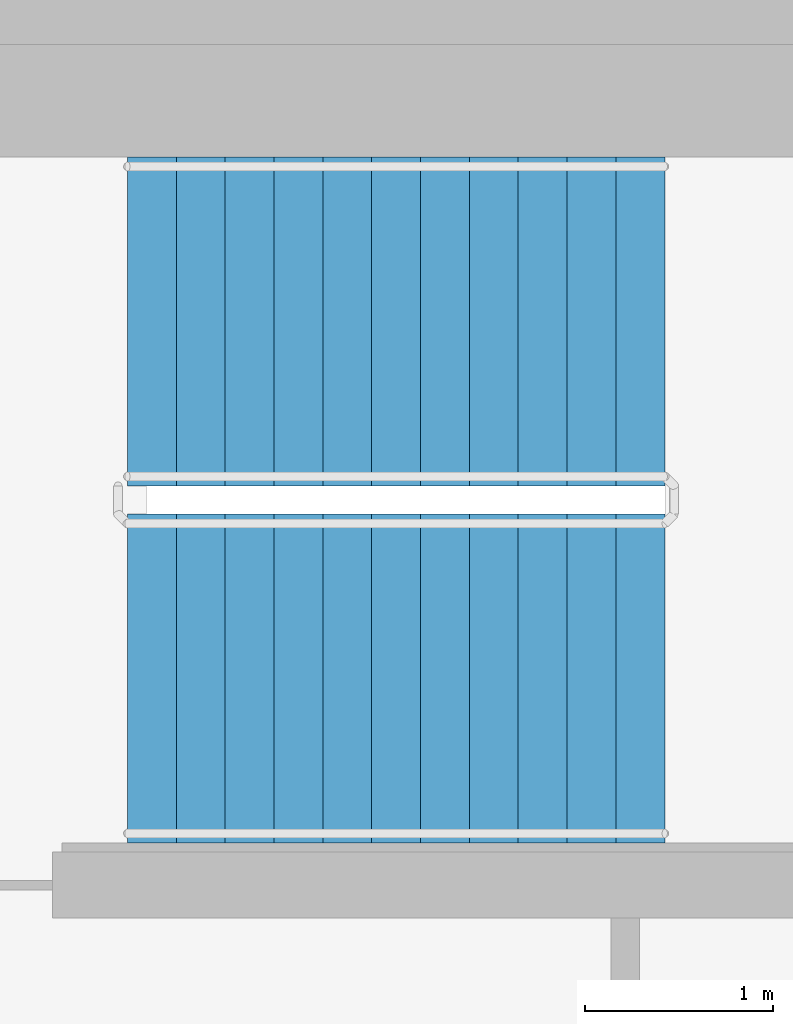
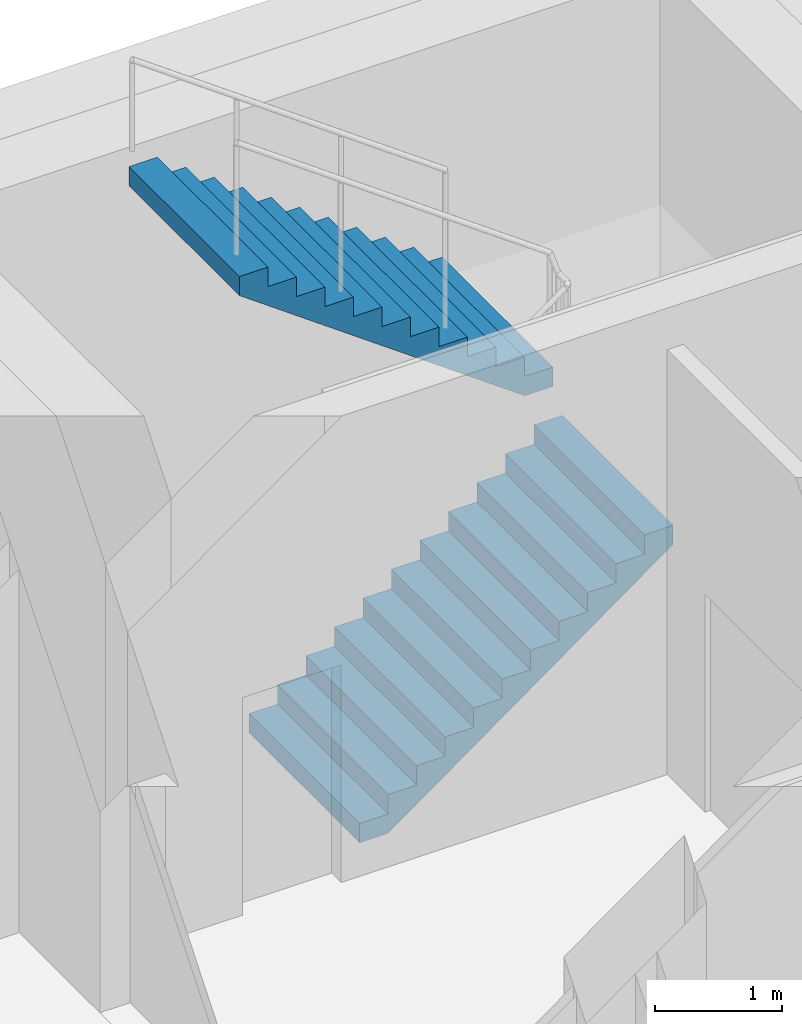
# One storey, part 13 of 19: 2 stair flights, 1 element without a shape of its own.
"""IFC4 building model written with IfcOpenShell, lengths in metres."""

from ifc_helpers import new_model, si_unit, direction, frame, origin, place, context, subcontext, project, spatial, faceted_brep, material, type_object, element, aggregate, save


model = new_model("IFC4")

# Units and contexts
model_context = context("Model", 3, precision=1e-05, world=origin(), true_north=direction((0.0, 1.0)))
body_context = subcontext(model_context, "Body", "Model", "MODEL_VIEW")
ifc_project = project(units=[si_unit("LENGTHUNIT", "METRE"), si_unit("AREAUNIT", "SQUARE_METRE"), si_unit("VOLUMEUNIT", "CUBIC_METRE"), si_unit("PLANEANGLEUNIT", "RADIAN"), si_unit("MASSUNIT", "GRAM", prefix="KILO")], contexts=[model_context])

# Site, building, storey
site_placement = place(None, origin())
site = spatial("IfcSite", under=ifc_project, at=site_placement, CompositionType="ELEMENT")
building_placement = place(site_placement, origin())
building = spatial("IfcBuilding", under=site, at=building_placement, Name="Ipe Terrace Towers", CompositionType="ELEMENT")
storey_placement = place(building_placement, frame((0.0, 0.0, 237.89990234375)))
storey = spatial("IfcBuildingStorey", under=building, at=storey_placement, Name="L66", CompositionType="ELEMENT", Elevation=237.89990234375)

# Stair, stair flights
ifc_material_1 = material(Name="Concrete C30/37", Category="concrete")
stair_type = type_object("IfcStairType", Name="Protected exit stair", PredefinedType="HALF_TURN_STAIR", material=ifc_material_1)
stair_placement = place(storey_placement, origin())
stair = element("IfcStair", 1, at=stair_placement, inside=storey, type_object=stair_type, Name="L66 Exit stair T1-C1", PredefinedType="HALF_TURN_STAIR")
ifc_material_2 = material(Name="Concrete C30/37", Category="concrete")
stair_flight_type = type_object("IfcStairFlightType", Name="Exit stair flight 1750", PredefinedType="STRAIGHT", material=ifc_material_2)
stair_flight_1_placement = place(storey_placement, frame((-26.300048828125, 2.77490234375, 0.0), z_axis=(0.0, 0.0, 1.0), x_axis=(1.0, 0.0, 0.0)))
stair_flight_1 = element("IfcStairFlight", 2, at=stair_flight_1_placement, type_object=stair_flight_type, Name="T1-ST1 flight 1", NumberOfRisers=12, NumberOfTreads=11, PredefinedType="STRAIGHT", RiserHeight=0.1875, TreadLength=0.26, context=body_context, shape_type="Brep", body=[
    faceted_brep([(0.25634765625, -0.875, 0.0), (2.860107421875, -0.875, 1.877685546875), (2.860107421875, -0.875, 2.0625), (2.60009765625, -0.875, 2.0625), (2.60009765625, -0.875, 1.875), (2.340087890625, -0.875, 1.875), (2.340087890625, -0.875, 1.6875), (2.080078125, -0.875, 1.6875), (2.080078125, -0.875, 1.5), (1.820068359375, -0.875, 1.5), (1.820068359375, -0.875, 1.3125), (1.56005859375, -0.875, 1.3125), (1.56005859375, -0.875, 1.125), (1.300048828125, -0.875, 1.125), (1.300048828125, -0.875, 0.9375), (1.0400390625, -0.875, 0.9375), (1.0400390625, -0.875, 0.75), (0.780029296875, -0.875, 0.75), (0.780029296875, -0.875, 0.5625), (0.52001953125, -0.875, 0.5625), (0.52001953125, -0.875, 0.375), (0.260009765625, -0.875, 0.375), (0.260009765625, -0.875, 0.1875), (0.0, -0.875, 0.1875), (0.0, -0.875, 0.0), (0.0, 0.875, 0.0), (0.0, 0.875, 0.1875), (0.260009765625, 0.875, 0.1875), (0.260009765625, 0.875, 0.375), (0.52001953125, 0.875, 0.375), (0.52001953125, 0.875, 0.5625), (0.780029296875, 0.875, 0.5625), (0.780029296875, 0.875, 0.75), (1.0400390625, 0.875, 0.75), (1.0400390625, 0.875, 0.9375), (1.300048828125, 0.875, 0.9375), (1.300048828125, 0.875, 1.125), (1.56005859375, 0.875, 1.125), (1.56005859375, 0.875, 1.3125), (1.820068359375, 0.875, 1.3125), (1.820068359375, 0.875, 1.5), (2.080078125, 0.875, 1.5), (2.080078125, 0.875, 1.6875), (2.340087890625, 0.875, 1.6875), (2.340087890625, 0.875, 1.875), (2.60009765625, 0.875, 1.875), (2.60009765625, 0.875, 2.0625), (2.860107421875, 0.875, 2.0625), (2.860107421875, 0.875, 1.877685546875), (0.25634765625, 0.875, 0.0), (0.0, -0.300048828125, 0.1875), (0.0, -0.1201171875, 0.1875), (0.0, -0.06005859375, 0.1875), (0.0, -0.030029296875, 0.1875), (0.0, -0.010009765625, 0.1875), (0.0, 0.0, 0.1875), (0.0, 0.010009765625, 0.1875), (0.0, 0.030029296875, 0.1875), (0.0, 0.06005859375, 0.1875), (0.0, 0.1201171875, 0.1875), (0.0, 0.300048828125, 0.1875), (0.0, 0.300048828125, 0.0), (0.0, 0.1201171875, 0.0), (0.0, 0.06005859375, 0.0), (0.0, 0.030029296875, 0.0), (0.0, 0.010009765625, 0.0), (0.0, 0.0, 0.0), (0.0, -0.010009765625, 0.0), (0.0, -0.030029296875, 0.0), (0.0, -0.06005859375, 0.0), (0.0, -0.1201171875, 0.0), (0.0, -0.300048828125, 0.0), (0.260009765625, -0.300048828125, 0.1875), (0.260009765625, -0.1201171875, 0.1875), (0.260009765625, -0.06005859375, 0.1875), (0.260009765625, -0.030029296875, 0.1875), (0.260009765625, -0.010009765625, 0.1875), (0.260009765625, 0.0, 0.1875), (0.260009765625, 0.010009765625, 0.1875), (0.260009765625, 0.030029296875, 0.1875), (0.260009765625, 0.06005859375, 0.1875), (0.260009765625, 0.1201171875, 0.1875), (0.260009765625, 0.300048828125, 0.1875), (0.260009765625, -0.300048828125, 0.375), (0.260009765625, -0.1201171875, 0.375), (0.260009765625, -0.06005859375, 0.375), (0.260009765625, -0.030029296875, 0.375), (0.260009765625, -0.010009765625, 0.375), (0.260009765625, 0.0, 0.375), (0.260009765625, 0.010009765625, 0.375), (0.260009765625, 0.030029296875, 0.375), (0.260009765625, 0.06005859375, 0.375), (0.260009765625, 0.1201171875, 0.375), (0.260009765625, 0.300048828125, 0.375), (0.52001953125, -0.300048828125, 0.375), (0.52001953125, -0.1201171875, 0.375), (0.52001953125, -0.06005859375, 0.375), (0.52001953125, -0.030029296875, 0.375), (0.52001953125, -0.010009765625, 0.375), (0.52001953125, 0.0, 0.375), (0.52001953125, 0.010009765625, 0.375), (0.52001953125, 0.030029296875, 0.375), (0.52001953125, 0.06005859375, 0.375), (0.52001953125, 0.1201171875, 0.375), (0.52001953125, 0.300048828125, 0.375), (0.52001953125, -0.300048828125, 0.5625), (0.52001953125, -0.1201171875, 0.5625), (0.52001953125, -0.06005859375, 0.5625), (0.52001953125, -0.030029296875, 0.5625), (0.52001953125, -0.010009765625, 0.5625), (0.52001953125, 0.0, 0.5625), (0.52001953125, 0.010009765625, 0.5625), (0.52001953125, 0.030029296875, 0.5625), (0.52001953125, 0.06005859375, 0.5625), (0.52001953125, 0.1201171875, 0.5625), (0.52001953125, 0.300048828125, 0.5625), (0.780029296875, -0.300048828125, 0.5625), (0.780029296875, -0.1201171875, 0.5625), (0.780029296875, -0.06005859375, 0.5625), (0.780029296875, -0.030029296875, 0.5625), (0.780029296875, -0.010009765625, 0.5625), (0.780029296875, 0.0, 0.5625), (0.780029296875, 0.010009765625, 0.5625), (0.780029296875, 0.030029296875, 0.5625), (0.780029296875, 0.06005859375, 0.5625), (0.780029296875, 0.1201171875, 0.5625), (0.780029296875, 0.300048828125, 0.5625), (0.780029296875, -0.300048828125, 0.75), (0.780029296875, -0.1201171875, 0.75), (0.780029296875, -0.06005859375, 0.75), (0.780029296875, -0.030029296875, 0.75), (0.780029296875, -0.010009765625, 0.75), (0.780029296875, 0.0, 0.75), (0.780029296875, 0.010009765625, 0.75), (0.780029296875, 0.030029296875, 0.75), (0.780029296875, 0.06005859375, 0.75), (0.780029296875, 0.1201171875, 0.75), (0.780029296875, 0.300048828125, 0.75), (1.0400390625, -0.300048828125, 0.75), (1.0400390625, -0.1201171875, 0.75), (1.0400390625, -0.06005859375, 0.75), (1.0400390625, -0.030029296875, 0.75), (1.0400390625, -0.010009765625, 0.75), (1.0400390625, 0.0, 0.75), (1.0400390625, 0.010009765625, 0.75), (1.0400390625, 0.030029296875, 0.75), (1.0400390625, 0.06005859375, 0.75), (1.0400390625, 0.1201171875, 0.75), (1.0400390625, 0.300048828125, 0.75), (1.0400390625, -0.300048828125, 0.9375), (1.0400390625, -0.1201171875, 0.9375), (1.0400390625, -0.06005859375, 0.9375), (1.0400390625, -0.030029296875, 0.9375), (1.0400390625, -0.010009765625, 0.9375), (1.0400390625, 0.0, 0.9375), (1.0400390625, 0.010009765625, 0.9375), (1.0400390625, 0.030029296875, 0.9375), (1.0400390625, 0.06005859375, 0.9375), (1.0400390625, 0.1201171875, 0.9375), (1.0400390625, 0.300048828125, 0.9375), (1.300048828125, -0.300048828125, 0.9375), (1.300048828125, -0.1201171875, 0.9375), (1.300048828125, -0.06005859375, 0.9375), (1.300048828125, -0.030029296875, 0.9375), (1.300048828125, -0.010009765625, 0.9375), (1.300048828125, 0.0, 0.9375), (1.300048828125, 0.010009765625, 0.9375), (1.300048828125, 0.030029296875, 0.9375), (1.300048828125, 0.06005859375, 0.9375), (1.300048828125, 0.1201171875, 0.9375), (1.300048828125, 0.300048828125, 0.9375), (1.300048828125, -0.300048828125, 1.125), (1.300048828125, -0.1201171875, 1.125), (1.300048828125, -0.06005859375, 1.125), (1.300048828125, -0.030029296875, 1.125), (1.300048828125, -0.010009765625, 1.125), (1.300048828125, 0.0, 1.125), (1.300048828125, 0.010009765625, 1.125), (1.300048828125, 0.030029296875, 1.125), (1.300048828125, 0.06005859375, 1.125), (1.300048828125, 0.1201171875, 1.125), (1.300048828125, 0.300048828125, 1.125), (1.56005859375, -0.300048828125, 1.125), (1.56005859375, -0.1201171875, 1.125), (1.56005859375, -0.06005859375, 1.125), (1.56005859375, -0.030029296875, 1.125), (1.56005859375, -0.010009765625, 1.125), (1.56005859375, 0.0, 1.125), (1.56005859375, 0.010009765625, 1.125), (1.56005859375, 0.030029296875, 1.125), (1.56005859375, 0.06005859375, 1.125), (1.56005859375, 0.1201171875, 1.125), (1.56005859375, 0.300048828125, 1.125), (1.56005859375, -0.300048828125, 1.3125), (1.56005859375, -0.1201171875, 1.3125), (1.56005859375, -0.06005859375, 1.3125), (1.56005859375, -0.030029296875, 1.3125), (1.56005859375, -0.010009765625, 1.3125), (1.56005859375, 0.0, 1.3125), (1.56005859375, 0.010009765625, 1.3125), (1.56005859375, 0.030029296875, 1.3125), (1.56005859375, 0.06005859375, 1.3125), (1.56005859375, 0.1201171875, 1.3125), (1.56005859375, 0.300048828125, 1.3125), (1.820068359375, -0.300048828125, 1.3125), (1.820068359375, -0.1201171875, 1.3125), (1.820068359375, -0.06005859375, 1.3125), (1.820068359375, -0.030029296875, 1.3125), (1.820068359375, -0.010009765625, 1.3125), (1.820068359375, 0.0, 1.3125), (1.820068359375, 0.010009765625, 1.3125), (1.820068359375, 0.030029296875, 1.3125), (1.820068359375, 0.06005859375, 1.3125), (1.820068359375, 0.1201171875, 1.3125), (1.820068359375, 0.300048828125, 1.3125), (1.820068359375, -0.300048828125, 1.5), (1.820068359375, -0.1201171875, 1.5), (1.820068359375, -0.06005859375, 1.5), (1.820068359375, -0.030029296875, 1.5), (1.820068359375, -0.010009765625, 1.5), (1.820068359375, 0.0, 1.5), (1.820068359375, 0.010009765625, 1.5), (1.820068359375, 0.030029296875, 1.5), (1.820068359375, 0.06005859375, 1.5), (1.820068359375, 0.1201171875, 1.5), (1.820068359375, 0.300048828125, 1.5), (2.080078125, -0.300048828125, 1.5), (2.080078125, -0.1201171875, 1.5), (2.080078125, -0.06005859375, 1.5), (2.080078125, -0.030029296875, 1.5), (2.080078125, -0.010009765625, 1.5), (2.080078125, 0.0, 1.5), (2.080078125, 0.010009765625, 1.5), (2.080078125, 0.030029296875, 1.5), (2.080078125, 0.06005859375, 1.5), (2.080078125, 0.1201171875, 1.5), (2.080078125, 0.300048828125, 1.5), (2.080078125, -0.300048828125, 1.6875), (2.080078125, -0.1201171875, 1.6875), (2.080078125, -0.06005859375, 1.6875), (2.080078125, -0.030029296875, 1.6875), (2.080078125, -0.010009765625, 1.6875), (2.080078125, 0.0, 1.6875), (2.080078125, 0.010009765625, 1.6875), (2.080078125, 0.030029296875, 1.6875), (2.080078125, 0.06005859375, 1.6875), (2.080078125, 0.1201171875, 1.6875), (2.080078125, 0.300048828125, 1.6875), (2.340087890625, -0.300048828125, 1.6875), (2.340087890625, -0.1201171875, 1.6875), (2.340087890625, -0.06005859375, 1.6875), (2.340087890625, -0.030029296875, 1.6875), (2.340087890625, -0.010009765625, 1.6875), (2.340087890625, 0.0, 1.6875), (2.340087890625, 0.010009765625, 1.6875), (2.340087890625, 0.030029296875, 1.6875), (2.340087890625, 0.06005859375, 1.6875), (2.340087890625, 0.1201171875, 1.6875), (2.340087890625, 0.300048828125, 1.6875), (2.340087890625, -0.300048828125, 1.875), (2.340087890625, -0.1201171875, 1.875), (2.340087890625, -0.06005859375, 1.875), (2.340087890625, -0.030029296875, 1.875), (2.340087890625, -0.010009765625, 1.875), (2.340087890625, 0.0, 1.875), (2.340087890625, 0.010009765625, 1.875), (2.340087890625, 0.030029296875, 1.875), (2.340087890625, 0.06005859375, 1.875), (2.340087890625, 0.1201171875, 1.875), (2.340087890625, 0.300048828125, 1.875), (2.60009765625, -0.300048828125, 1.875), (2.60009765625, -0.1201171875, 1.875), (2.60009765625, -0.06005859375, 1.875), (2.60009765625, -0.030029296875, 1.875), (2.60009765625, -0.010009765625, 1.875), (2.60009765625, 0.0, 1.875), (2.60009765625, 0.010009765625, 1.875), (2.60009765625, 0.030029296875, 1.875), (2.60009765625, 0.06005859375, 1.875), (2.60009765625, 0.1201171875, 1.875), (2.60009765625, 0.300048828125, 1.875), (2.60009765625, -0.300048828125, 2.0625), (2.60009765625, -0.1201171875, 2.0625), (2.60009765625, -0.06005859375, 2.0625), (2.60009765625, -0.030029296875, 2.0625), (2.60009765625, -0.010009765625, 2.0625), (2.60009765625, 0.0, 2.0625), (2.60009765625, 0.010009765625, 2.0625), (2.60009765625, 0.030029296875, 2.0625), (2.60009765625, 0.06005859375, 2.0625), (2.60009765625, 0.1201171875, 2.0625), (2.60009765625, 0.300048828125, 2.0625), (2.860107421875, -0.300048828125, 2.0625), (2.860107421875, -0.1201171875, 2.0625), (2.860107421875, -0.06005859375, 2.0625), (2.860107421875, -0.030029296875, 2.0625), (2.860107421875, -0.010009765625, 2.0625), (2.860107421875, 0.0, 2.0625), (2.860107421875, 0.010009765625, 2.0625), (2.860107421875, 0.030029296875, 2.0625), (2.860107421875, 0.06005859375, 2.0625), (2.860107421875, 0.1201171875, 2.0625), (2.860107421875, 0.300048828125, 2.0625), (2.860107421875, -0.300048828125, 1.877685546875), (2.860107421875, -0.1201171875, 1.877685546875), (2.860107421875, -0.06005859375, 1.877685546875), (2.860107421875, -0.030029296875, 1.877685546875), (2.860107421875, -0.010009765625, 1.877685546875), (2.860107421875, 0.0, 1.877685546875), (2.860107421875, 0.010009765625, 1.877685546875), (2.860107421875, 0.030029296875, 1.877685546875), (2.860107421875, 0.06005859375, 1.877685546875), (2.860107421875, 0.1201171875, 1.877685546875), (2.860107421875, 0.300048828125, 1.877685546875), (0.25634765625, -0.300048828125, 0.0), (0.25634765625, -0.1201171875, 0.0), (0.25634765625, -0.06005859375, 0.0), (0.25634765625, -0.030029296875, 0.0), (0.25634765625, -0.010009765625, 0.0), (0.25634765625, 0.0, 0.0), (0.25634765625, 0.010009765625, 0.0), (0.25634765625, 0.030029296875, 0.0), (0.25634765625, 0.06005859375, 0.0), (0.25634765625, 0.1201171875, 0.0), (0.25634765625, 0.300048828125, 0.0)], [[[0, 1, 2, 3, 4, 5, 6, 7, 8, 9, 10, 11, 12, 13, 14, 15, 16, 17, 18, 19, 20, 21, 22, 23, 24]], [[25, 26, 27, 28, 29, 30, 31, 32, 33, 34, 35, 36, 37, 38, 39, 40, 41, 42, 43, 44, 45, 46, 47, 48, 49]], [[23, 50, 51, 52, 53, 54, 55, 56, 57, 58, 59, 60, 26, 25, 61, 62, 63, 64, 65, 66, 67, 68, 69, 70, 71, 24]], [[22, 72, 73, 74, 75, 76, 77, 78, 79, 80, 81, 82, 27, 26, 60, 59, 58, 57, 56, 55, 54, 53, 52, 51, 50, 23]], [[21, 83, 84, 85, 86, 87, 88, 89, 90, 91, 92, 93, 28, 27, 82, 81, 80, 79, 78, 77, 76, 75, 74, 73, 72, 22]], [[20, 94, 95, 96, 97, 98, 99, 100, 101, 102, 103, 104, 29, 28, 93, 92, 91, 90, 89, 88, 87, 86, 85, 84, 83, 21]], [[19, 105, 106, 107, 108, 109, 110, 111, 112, 113, 114, 115, 30, 29, 104, 103, 102, 101, 100, 99, 98, 97, 96, 95, 94, 20]], [[18, 116, 117, 118, 119, 120, 121, 122, 123, 124, 125, 126, 31, 30, 115, 114, 113, 112, 111, 110, 109, 108, 107, 106, 105, 19]], [[17, 127, 128, 129, 130, 131, 132, 133, 134, 135, 136, 137, 32, 31, 126, 125, 124, 123, 122, 121, 120, 119, 118, 117, 116, 18]], [[16, 138, 139, 140, 141, 142, 143, 144, 145, 146, 147, 148, 33, 32, 137, 136, 135, 134, 133, 132, 131, 130, 129, 128, 127, 17]], [[15, 149, 150, 151, 152, 153, 154, 155, 156, 157, 158, 159, 34, 33, 148, 147, 146, 145, 144, 143, 142, 141, 140, 139, 138, 16]], [[14, 160, 161, 162, 163, 164, 165, 166, 167, 168, 169, 170, 35, 34, 159, 158, 157, 156, 155, 154, 153, 152, 151, 150, 149, 15]], [[13, 171, 172, 173, 174, 175, 176, 177, 178, 179, 180, 181, 36, 35, 170, 169, 168, 167, 166, 165, 164, 163, 162, 161, 160, 14]], [[12, 182, 183, 184, 185, 186, 187, 188, 189, 190, 191, 192, 37, 36, 181, 180, 179, 178, 177, 176, 175, 174, 173, 172, 171, 13]], [[11, 193, 194, 195, 196, 197, 198, 199, 200, 201, 202, 203, 38, 37, 192, 191, 190, 189, 188, 187, 186, 185, 184, 183, 182, 12]], [[10, 204, 205, 206, 207, 208, 209, 210, 211, 212, 213, 214, 39, 38, 203, 202, 201, 200, 199, 198, 197, 196, 195, 194, 193, 11]], [[9, 215, 216, 217, 218, 219, 220, 221, 222, 223, 224, 225, 40, 39, 214, 213, 212, 211, 210, 209, 208, 207, 206, 205, 204, 10]], [[8, 226, 227, 228, 229, 230, 231, 232, 233, 234, 235, 236, 41, 40, 225, 224, 223, 222, 221, 220, 219, 218, 217, 216, 215, 9]], [[7, 237, 238, 239, 240, 241, 242, 243, 244, 245, 246, 247, 42, 41, 236, 235, 234, 233, 232, 231, 230, 229, 228, 227, 226, 8]], [[6, 248, 249, 250, 251, 252, 253, 254, 255, 256, 257, 258, 43, 42, 247, 246, 245, 244, 243, 242, 241, 240, 239, 238, 237, 7]], [[5, 259, 260, 261, 262, 263, 264, 265, 266, 267, 268, 269, 44, 43, 258, 257, 256, 255, 254, 253, 252, 251, 250, 249, 248, 6]], [[4, 270, 271, 272, 273, 274, 275, 276, 277, 278, 279, 280, 45, 44, 269, 268, 267, 266, 265, 264, 263, 262, 261, 260, 259, 5]], [[3, 281, 282, 283, 284, 285, 286, 287, 288, 289, 290, 291, 46, 45, 280, 279, 278, 277, 276, 275, 274, 273, 272, 271, 270, 4]], [[2, 292, 293, 294, 295, 296, 297, 298, 299, 300, 301, 302, 47, 46, 291, 290, 289, 288, 287, 286, 285, 284, 283, 282, 281, 3]], [[1, 303, 304, 305, 306, 307, 308, 309, 310, 311, 312, 313, 48, 47, 302, 301, 300, 299, 298, 297, 296, 295, 294, 293, 292, 2]], [[0, 314, 315, 316, 317, 318, 319, 320, 321, 322, 323, 324, 49, 48, 313, 312, 311, 310, 309, 308, 307, 306, 305, 304, 303, 1]], [[24, 71, 70, 69, 68, 67, 66, 65, 64, 63, 62, 61, 25, 49, 324, 323, 322, 321, 320, 319, 318, 317, 316, 315, 314, 0]]]),
])
stair_flight_2_placement = place(storey_placement, frame((-23.43994140625, 4.675048828125, 2.25), z_axis=(0.0, 0.0, 1.0), x_axis=(-1.0, 0.0, 0.0)))
stair_flight_2 = element("IfcStairFlight", 3, at=stair_flight_2_placement, type_object=stair_flight_type, Name="T1-ST1 flight 2", NumberOfRisers=12, NumberOfTreads=11, PredefinedType="STRAIGHT", RiserHeight=0.1875, TreadLength=0.26, context=body_context, shape_type="Brep", body=[
    faceted_brep([(0.25634765625, -0.875, 0.0), (2.860107421875, -0.875, 1.877685546875), (2.860107421875, -0.875, 2.0625), (2.60009765625, -0.875, 2.0625), (2.60009765625, -0.875, 1.875), (2.340087890625, -0.875, 1.875), (2.340087890625, -0.875, 1.6875), (2.080078125, -0.875, 1.6875), (2.080078125, -0.875, 1.5), (1.820068359375, -0.875, 1.5), (1.820068359375, -0.875, 1.3125), (1.56005859375, -0.875, 1.3125), (1.56005859375, -0.875, 1.125), (1.300048828125, -0.875, 1.125), (1.300048828125, -0.875, 0.9375), (1.0400390625, -0.875, 0.9375), (1.0400390625, -0.875, 0.75), (0.780029296875, -0.875, 0.75), (0.780029296875, -0.875, 0.5625), (0.52001953125, -0.875, 0.5625), (0.52001953125, -0.875, 0.375), (0.260009765625, -0.875, 0.375), (0.260009765625, -0.875, 0.1875), (0.0, -0.875, 0.1875), (0.0, -0.875, 0.0), (0.0, 0.875, 0.0), (0.0, 0.875, 0.1875), (0.260009765625, 0.875, 0.1875), (0.260009765625, 0.875, 0.375), (0.52001953125, 0.875, 0.375), (0.52001953125, 0.875, 0.5625), (0.780029296875, 0.875, 0.5625), (0.780029296875, 0.875, 0.75), (1.0400390625, 0.875, 0.75), (1.0400390625, 0.875, 0.9375), (1.300048828125, 0.875, 0.9375), (1.300048828125, 0.875, 1.125), (1.56005859375, 0.875, 1.125), (1.56005859375, 0.875, 1.3125), (1.820068359375, 0.875, 1.3125), (1.820068359375, 0.875, 1.5), (2.080078125, 0.875, 1.5), (2.080078125, 0.875, 1.6875), (2.340087890625, 0.875, 1.6875), (2.340087890625, 0.875, 1.875), (2.60009765625, 0.875, 1.875), (2.60009765625, 0.875, 2.0625), (2.860107421875, 0.875, 2.0625), (2.860107421875, 0.875, 1.877685546875), (0.25634765625, 0.875, 0.0), (0.0, -0.300048828125, 0.1875), (0.0, -0.1201171875, 0.1875), (0.0, -0.06005859375, 0.1875), (0.0, -0.030029296875, 0.1875), (0.0, -0.010009765625, 0.1875), (0.0, 0.0, 0.1875), (0.0, 0.010009765625, 0.1875), (0.0, 0.030029296875, 0.1875), (0.0, 0.06005859375, 0.1875), (0.0, 0.1201171875, 0.1875), (0.0, 0.300048828125, 0.1875), (0.0, 0.300048828125, 0.0), (0.0, 0.1201171875, 0.0), (0.0, 0.06005859375, 0.0), (0.0, 0.030029296875, 0.0), (0.0, 0.010009765625, 0.0), (0.0, 0.0, 0.0), (0.0, -0.010009765625, 0.0), (0.0, -0.030029296875, 0.0), (0.0, -0.06005859375, 0.0), (0.0, -0.1201171875, 0.0), (0.0, -0.300048828125, 0.0), (0.260009765625, -0.300048828125, 0.1875), (0.260009765625, -0.1201171875, 0.1875), (0.260009765625, -0.06005859375, 0.1875), (0.260009765625, -0.030029296875, 0.1875), (0.260009765625, -0.010009765625, 0.1875), (0.260009765625, 0.0, 0.1875), (0.260009765625, 0.010009765625, 0.1875), (0.260009765625, 0.030029296875, 0.1875), (0.260009765625, 0.06005859375, 0.1875), (0.260009765625, 0.1201171875, 0.1875), (0.260009765625, 0.300048828125, 0.1875), (0.260009765625, -0.300048828125, 0.375), (0.260009765625, -0.1201171875, 0.375), (0.260009765625, -0.06005859375, 0.375), (0.260009765625, -0.030029296875, 0.375), (0.260009765625, -0.010009765625, 0.375), (0.260009765625, 0.0, 0.375), (0.260009765625, 0.010009765625, 0.375), (0.260009765625, 0.030029296875, 0.375), (0.260009765625, 0.06005859375, 0.375), (0.260009765625, 0.1201171875, 0.375), (0.260009765625, 0.300048828125, 0.375), (0.52001953125, -0.300048828125, 0.375), (0.52001953125, -0.1201171875, 0.375), (0.52001953125, -0.06005859375, 0.375), (0.52001953125, -0.030029296875, 0.375), (0.52001953125, -0.010009765625, 0.375), (0.52001953125, 0.0, 0.375), (0.52001953125, 0.010009765625, 0.375), (0.52001953125, 0.030029296875, 0.375), (0.52001953125, 0.06005859375, 0.375), (0.52001953125, 0.1201171875, 0.375), (0.52001953125, 0.300048828125, 0.375), (0.52001953125, -0.300048828125, 0.5625), (0.52001953125, -0.1201171875, 0.5625), (0.52001953125, -0.06005859375, 0.5625), (0.52001953125, -0.030029296875, 0.5625), (0.52001953125, -0.010009765625, 0.5625), (0.52001953125, 0.0, 0.5625), (0.52001953125, 0.010009765625, 0.5625), (0.52001953125, 0.030029296875, 0.5625), (0.52001953125, 0.06005859375, 0.5625), (0.52001953125, 0.1201171875, 0.5625), (0.52001953125, 0.300048828125, 0.5625), (0.780029296875, -0.300048828125, 0.5625), (0.780029296875, -0.1201171875, 0.5625), (0.780029296875, -0.06005859375, 0.5625), (0.780029296875, -0.030029296875, 0.5625), (0.780029296875, -0.010009765625, 0.5625), (0.780029296875, 0.0, 0.5625), (0.780029296875, 0.010009765625, 0.5625), (0.780029296875, 0.030029296875, 0.5625), (0.780029296875, 0.06005859375, 0.5625), (0.780029296875, 0.1201171875, 0.5625), (0.780029296875, 0.300048828125, 0.5625), (0.780029296875, -0.300048828125, 0.75), (0.780029296875, -0.1201171875, 0.75), (0.780029296875, -0.06005859375, 0.75), (0.780029296875, -0.030029296875, 0.75), (0.780029296875, -0.010009765625, 0.75), (0.780029296875, 0.0, 0.75), (0.780029296875, 0.010009765625, 0.75), (0.780029296875, 0.030029296875, 0.75), (0.780029296875, 0.06005859375, 0.75), (0.780029296875, 0.1201171875, 0.75), (0.780029296875, 0.300048828125, 0.75), (1.0400390625, -0.300048828125, 0.75), (1.0400390625, -0.1201171875, 0.75), (1.0400390625, -0.06005859375, 0.75), (1.0400390625, -0.030029296875, 0.75), (1.0400390625, -0.010009765625, 0.75), (1.0400390625, 0.0, 0.75), (1.0400390625, 0.010009765625, 0.75), (1.0400390625, 0.030029296875, 0.75), (1.0400390625, 0.06005859375, 0.75), (1.0400390625, 0.1201171875, 0.75), (1.0400390625, 0.300048828125, 0.75), (1.0400390625, -0.300048828125, 0.9375), (1.0400390625, -0.1201171875, 0.9375), (1.0400390625, -0.06005859375, 0.9375), (1.0400390625, -0.030029296875, 0.9375), (1.0400390625, -0.010009765625, 0.9375), (1.0400390625, 0.0, 0.9375), (1.0400390625, 0.010009765625, 0.9375), (1.0400390625, 0.030029296875, 0.9375), (1.0400390625, 0.06005859375, 0.9375), (1.0400390625, 0.1201171875, 0.9375), (1.0400390625, 0.300048828125, 0.9375), (1.300048828125, -0.300048828125, 0.9375), (1.300048828125, -0.1201171875, 0.9375), (1.300048828125, -0.06005859375, 0.9375), (1.300048828125, -0.030029296875, 0.9375), (1.300048828125, -0.010009765625, 0.9375), (1.300048828125, 0.0, 0.9375), (1.300048828125, 0.010009765625, 0.9375), (1.300048828125, 0.030029296875, 0.9375), (1.300048828125, 0.06005859375, 0.9375), (1.300048828125, 0.1201171875, 0.9375), (1.300048828125, 0.300048828125, 0.9375), (1.300048828125, -0.300048828125, 1.125), (1.300048828125, -0.1201171875, 1.125), (1.300048828125, -0.06005859375, 1.125), (1.300048828125, -0.030029296875, 1.125), (1.300048828125, -0.010009765625, 1.125), (1.300048828125, 0.0, 1.125), (1.300048828125, 0.010009765625, 1.125), (1.300048828125, 0.030029296875, 1.125), (1.300048828125, 0.06005859375, 1.125), (1.300048828125, 0.1201171875, 1.125), (1.300048828125, 0.300048828125, 1.125), (1.56005859375, -0.300048828125, 1.125), (1.56005859375, -0.1201171875, 1.125), (1.56005859375, -0.06005859375, 1.125), (1.56005859375, -0.030029296875, 1.125), (1.56005859375, -0.010009765625, 1.125), (1.56005859375, 0.0, 1.125), (1.56005859375, 0.010009765625, 1.125), (1.56005859375, 0.030029296875, 1.125), (1.56005859375, 0.06005859375, 1.125), (1.56005859375, 0.1201171875, 1.125), (1.56005859375, 0.300048828125, 1.125), (1.56005859375, -0.300048828125, 1.3125), (1.56005859375, -0.1201171875, 1.3125), (1.56005859375, -0.06005859375, 1.3125), (1.56005859375, -0.030029296875, 1.3125), (1.56005859375, -0.010009765625, 1.3125), (1.56005859375, 0.0, 1.3125), (1.56005859375, 0.010009765625, 1.3125), (1.56005859375, 0.030029296875, 1.3125), (1.56005859375, 0.06005859375, 1.3125), (1.56005859375, 0.1201171875, 1.3125), (1.56005859375, 0.300048828125, 1.3125), (1.820068359375, -0.300048828125, 1.3125), (1.820068359375, -0.1201171875, 1.3125), (1.820068359375, -0.06005859375, 1.3125), (1.820068359375, -0.030029296875, 1.3125), (1.820068359375, -0.010009765625, 1.3125), (1.820068359375, 0.0, 1.3125), (1.820068359375, 0.010009765625, 1.3125), (1.820068359375, 0.030029296875, 1.3125), (1.820068359375, 0.06005859375, 1.3125), (1.820068359375, 0.1201171875, 1.3125), (1.820068359375, 0.300048828125, 1.3125), (1.820068359375, -0.300048828125, 1.5), (1.820068359375, -0.1201171875, 1.5), (1.820068359375, -0.06005859375, 1.5), (1.820068359375, -0.030029296875, 1.5), (1.820068359375, -0.010009765625, 1.5), (1.820068359375, 0.0, 1.5), (1.820068359375, 0.010009765625, 1.5), (1.820068359375, 0.030029296875, 1.5), (1.820068359375, 0.06005859375, 1.5), (1.820068359375, 0.1201171875, 1.5), (1.820068359375, 0.300048828125, 1.5), (2.080078125, -0.300048828125, 1.5), (2.080078125, -0.1201171875, 1.5), (2.080078125, -0.06005859375, 1.5), (2.080078125, -0.030029296875, 1.5), (2.080078125, -0.010009765625, 1.5), (2.080078125, 0.0, 1.5), (2.080078125, 0.010009765625, 1.5), (2.080078125, 0.030029296875, 1.5), (2.080078125, 0.06005859375, 1.5), (2.080078125, 0.1201171875, 1.5), (2.080078125, 0.300048828125, 1.5), (2.080078125, -0.300048828125, 1.6875), (2.080078125, -0.1201171875, 1.6875), (2.080078125, -0.06005859375, 1.6875), (2.080078125, -0.030029296875, 1.6875), (2.080078125, -0.010009765625, 1.6875), (2.080078125, 0.0, 1.6875), (2.080078125, 0.010009765625, 1.6875), (2.080078125, 0.030029296875, 1.6875), (2.080078125, 0.06005859375, 1.6875), (2.080078125, 0.1201171875, 1.6875), (2.080078125, 0.300048828125, 1.6875), (2.340087890625, -0.300048828125, 1.6875), (2.340087890625, -0.1201171875, 1.6875), (2.340087890625, -0.06005859375, 1.6875), (2.340087890625, -0.030029296875, 1.6875), (2.340087890625, -0.010009765625, 1.6875), (2.340087890625, 0.0, 1.6875), (2.340087890625, 0.010009765625, 1.6875), (2.340087890625, 0.030029296875, 1.6875), (2.340087890625, 0.06005859375, 1.6875), (2.340087890625, 0.1201171875, 1.6875), (2.340087890625, 0.300048828125, 1.6875), (2.340087890625, -0.300048828125, 1.875), (2.340087890625, -0.1201171875, 1.875), (2.340087890625, -0.06005859375, 1.875), (2.340087890625, -0.030029296875, 1.875), (2.340087890625, -0.010009765625, 1.875), (2.340087890625, 0.0, 1.875), (2.340087890625, 0.010009765625, 1.875), (2.340087890625, 0.030029296875, 1.875), (2.340087890625, 0.06005859375, 1.875), (2.340087890625, 0.1201171875, 1.875), (2.340087890625, 0.300048828125, 1.875), (2.60009765625, -0.300048828125, 1.875), (2.60009765625, -0.1201171875, 1.875), (2.60009765625, -0.06005859375, 1.875), (2.60009765625, -0.030029296875, 1.875), (2.60009765625, -0.010009765625, 1.875), (2.60009765625, 0.0, 1.875), (2.60009765625, 0.010009765625, 1.875), (2.60009765625, 0.030029296875, 1.875), (2.60009765625, 0.06005859375, 1.875), (2.60009765625, 0.1201171875, 1.875), (2.60009765625, 0.300048828125, 1.875), (2.60009765625, -0.300048828125, 2.0625), (2.60009765625, -0.1201171875, 2.0625), (2.60009765625, -0.06005859375, 2.0625), (2.60009765625, -0.030029296875, 2.0625), (2.60009765625, -0.010009765625, 2.0625), (2.60009765625, 0.0, 2.0625), (2.60009765625, 0.010009765625, 2.0625), (2.60009765625, 0.030029296875, 2.0625), (2.60009765625, 0.06005859375, 2.0625), (2.60009765625, 0.1201171875, 2.0625), (2.60009765625, 0.300048828125, 2.0625), (2.860107421875, -0.300048828125, 2.0625), (2.860107421875, -0.1201171875, 2.0625), (2.860107421875, -0.06005859375, 2.0625), (2.860107421875, -0.030029296875, 2.0625), (2.860107421875, -0.010009765625, 2.0625), (2.860107421875, 0.0, 2.0625), (2.860107421875, 0.010009765625, 2.0625), (2.860107421875, 0.030029296875, 2.0625), (2.860107421875, 0.06005859375, 2.0625), (2.860107421875, 0.1201171875, 2.0625), (2.860107421875, 0.300048828125, 2.0625), (2.860107421875, -0.300048828125, 1.877685546875), (2.860107421875, -0.1201171875, 1.877685546875), (2.860107421875, -0.06005859375, 1.877685546875), (2.860107421875, -0.030029296875, 1.877685546875), (2.860107421875, -0.010009765625, 1.877685546875), (2.860107421875, 0.0, 1.877685546875), (2.860107421875, 0.010009765625, 1.877685546875), (2.860107421875, 0.030029296875, 1.877685546875), (2.860107421875, 0.06005859375, 1.877685546875), (2.860107421875, 0.1201171875, 1.877685546875), (2.860107421875, 0.300048828125, 1.877685546875), (0.25634765625, -0.300048828125, 0.0), (0.25634765625, -0.1201171875, 0.0), (0.25634765625, -0.06005859375, 0.0), (0.25634765625, -0.030029296875, 0.0), (0.25634765625, -0.010009765625, 0.0), (0.25634765625, 0.0, 0.0), (0.25634765625, 0.010009765625, 0.0), (0.25634765625, 0.030029296875, 0.0), (0.25634765625, 0.06005859375, 0.0), (0.25634765625, 0.1201171875, 0.0), (0.25634765625, 0.300048828125, 0.0)], [[[0, 1, 2, 3, 4, 5, 6, 7, 8, 9, 10, 11, 12, 13, 14, 15, 16, 17, 18, 19, 20, 21, 22, 23, 24]], [[25, 26, 27, 28, 29, 30, 31, 32, 33, 34, 35, 36, 37, 38, 39, 40, 41, 42, 43, 44, 45, 46, 47, 48, 49]], [[23, 50, 51, 52, 53, 54, 55, 56, 57, 58, 59, 60, 26, 25, 61, 62, 63, 64, 65, 66, 67, 68, 69, 70, 71, 24]], [[22, 72, 73, 74, 75, 76, 77, 78, 79, 80, 81, 82, 27, 26, 60, 59, 58, 57, 56, 55, 54, 53, 52, 51, 50, 23]], [[21, 83, 84, 85, 86, 87, 88, 89, 90, 91, 92, 93, 28, 27, 82, 81, 80, 79, 78, 77, 76, 75, 74, 73, 72, 22]], [[20, 94, 95, 96, 97, 98, 99, 100, 101, 102, 103, 104, 29, 28, 93, 92, 91, 90, 89, 88, 87, 86, 85, 84, 83, 21]], [[19, 105, 106, 107, 108, 109, 110, 111, 112, 113, 114, 115, 30, 29, 104, 103, 102, 101, 100, 99, 98, 97, 96, 95, 94, 20]], [[18, 116, 117, 118, 119, 120, 121, 122, 123, 124, 125, 126, 31, 30, 115, 114, 113, 112, 111, 110, 109, 108, 107, 106, 105, 19]], [[17, 127, 128, 129, 130, 131, 132, 133, 134, 135, 136, 137, 32, 31, 126, 125, 124, 123, 122, 121, 120, 119, 118, 117, 116, 18]], [[16, 138, 139, 140, 141, 142, 143, 144, 145, 146, 147, 148, 33, 32, 137, 136, 135, 134, 133, 132, 131, 130, 129, 128, 127, 17]], [[15, 149, 150, 151, 152, 153, 154, 155, 156, 157, 158, 159, 34, 33, 148, 147, 146, 145, 144, 143, 142, 141, 140, 139, 138, 16]], [[14, 160, 161, 162, 163, 164, 165, 166, 167, 168, 169, 170, 35, 34, 159, 158, 157, 156, 155, 154, 153, 152, 151, 150, 149, 15]], [[13, 171, 172, 173, 174, 175, 176, 177, 178, 179, 180, 181, 36, 35, 170, 169, 168, 167, 166, 165, 164, 163, 162, 161, 160, 14]], [[12, 182, 183, 184, 185, 186, 187, 188, 189, 190, 191, 192, 37, 36, 181, 180, 179, 178, 177, 176, 175, 174, 173, 172, 171, 13]], [[11, 193, 194, 195, 196, 197, 198, 199, 200, 201, 202, 203, 38, 37, 192, 191, 190, 189, 188, 187, 186, 185, 184, 183, 182, 12]], [[10, 204, 205, 206, 207, 208, 209, 210, 211, 212, 213, 214, 39, 38, 203, 202, 201, 200, 199, 198, 197, 196, 195, 194, 193, 11]], [[9, 215, 216, 217, 218, 219, 220, 221, 222, 223, 224, 225, 40, 39, 214, 213, 212, 211, 210, 209, 208, 207, 206, 205, 204, 10]], [[8, 226, 227, 228, 229, 230, 231, 232, 233, 234, 235, 236, 41, 40, 225, 224, 223, 222, 221, 220, 219, 218, 217, 216, 215, 9]], [[7, 237, 238, 239, 240, 241, 242, 243, 244, 245, 246, 247, 42, 41, 236, 235, 234, 233, 232, 231, 230, 229, 228, 227, 226, 8]], [[6, 248, 249, 250, 251, 252, 253, 254, 255, 256, 257, 258, 43, 42, 247, 246, 245, 244, 243, 242, 241, 240, 239, 238, 237, 7]], [[5, 259, 260, 261, 262, 263, 264, 265, 266, 267, 268, 269, 44, 43, 258, 257, 256, 255, 254, 253, 252, 251, 250, 249, 248, 6]], [[4, 270, 271, 272, 273, 274, 275, 276, 277, 278, 279, 280, 45, 44, 269, 268, 267, 266, 265, 264, 263, 262, 261, 260, 259, 5]], [[3, 281, 282, 283, 284, 285, 286, 287, 288, 289, 290, 291, 46, 45, 280, 279, 278, 277, 276, 275, 274, 273, 272, 271, 270, 4]], [[2, 292, 293, 294, 295, 296, 297, 298, 299, 300, 301, 302, 47, 46, 291, 290, 289, 288, 287, 286, 285, 284, 283, 282, 281, 3]], [[1, 303, 304, 305, 306, 307, 308, 309, 310, 311, 312, 313, 48, 47, 302, 301, 300, 299, 298, 297, 296, 295, 294, 293, 292, 2]], [[0, 314, 315, 316, 317, 318, 319, 320, 321, 322, 323, 324, 49, 48, 313, 312, 311, 310, 309, 308, 307, 306, 305, 304, 303, 1]], [[24, 71, 70, 69, 68, 67, 66, 65, 64, 63, 62, 61, 25, 49, 324, 323, 322, 321, 320, 319, 318, 317, 316, 315, 314, 0]]]),
])
aggregate(stair, [stair_flight_1, stair_flight_2])

save(model, "model.ifc")
